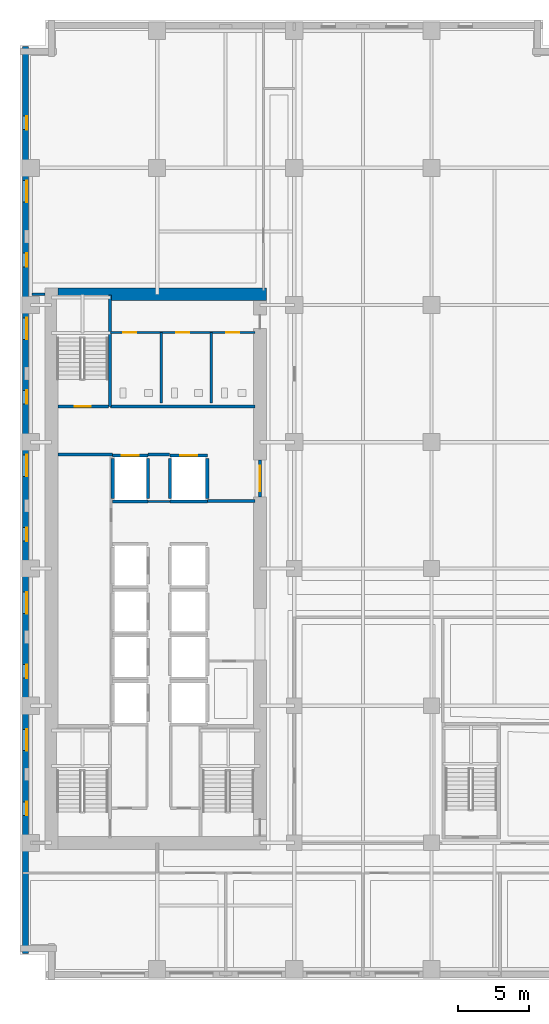
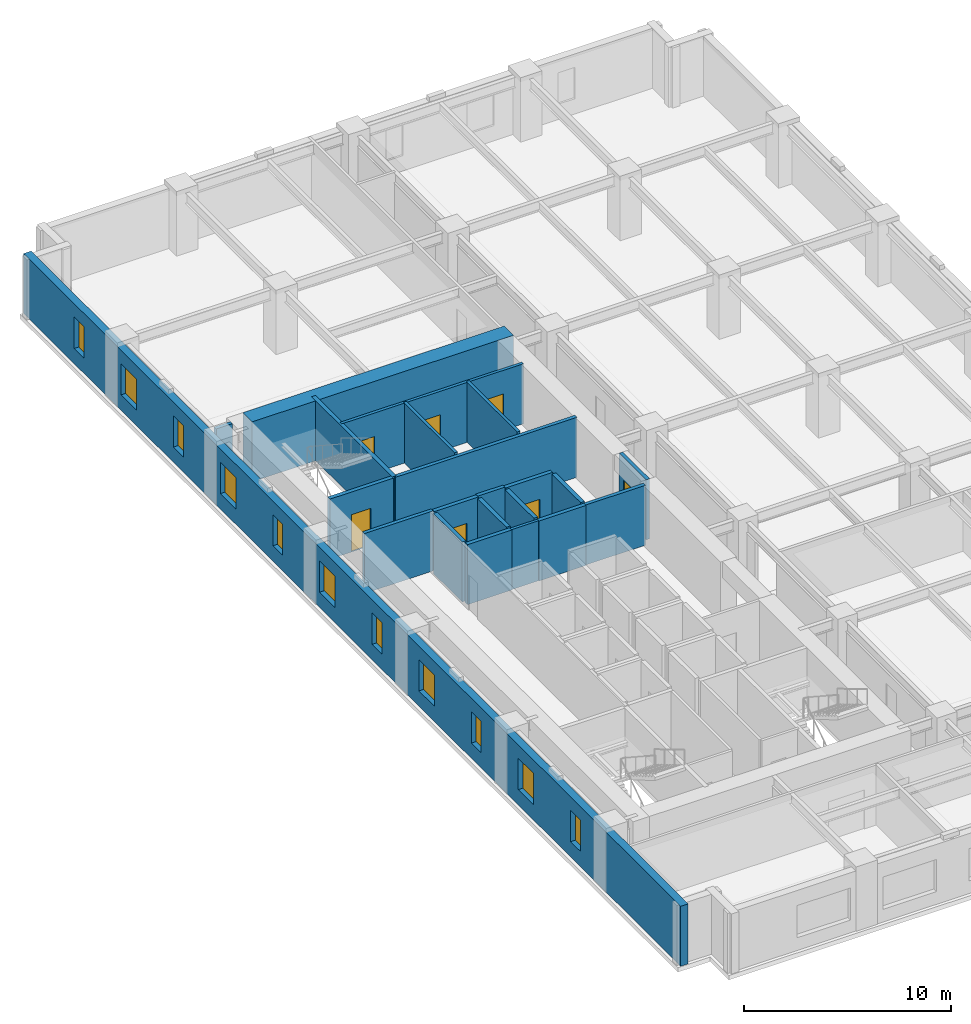
# One storey, part 6 of 13: 22 walls, 11 windows, 7 doors, 18 openings.
"""IFC4 building model written with IfcOpenShell, lengths in metres."""

import ifcopenshell
import ifcopenshell.guid

model = None  # the IFC model being written
_history = None  # IfcOwnerHistory: only IFC2X3 demands one
_inside = {}  # id of a spatial element -> (the spatial element, [elements in it])
_under = {}  # id of a project, library or spatial element -> (it, [spatial elements below it])
_declared = {}  # id of a project -> (the project, [libraries it declares])
_typed = {}  # id of a type object -> (the type object, [elements of that type])
_made_of = {}  # id of a material, layer set ... -> (it, [elements and type objects made of it])


def new_model(schema):
    """Start an empty IFC model of exactly this schema.

    Asked for "IFC4X3", IfcOpenShell would pick the latest addendum, in which some entities
    have other attributes; the version numbers below select the first issue.
    IFC2X3 requires an IfcOwnerHistory on every rooted entity: one is made here for all.
    """
    global model, _history
    if schema == "IFC4X3":
        model = ifcopenshell.file(schema_version=(4, 3, 0, 0))
    else:
        model = ifcopenshell.file(schema=schema)
    _inside.clear()
    _under.clear()
    _declared.clear()
    _typed.clear()
    _made_of.clear()
    _history = None
    if model.schema == "IFC2X3":
        org = make("IfcOrganization", Name="unknown")
        user = make(
            "IfcPersonAndOrganization",
            ThePerson=make("IfcPerson", FamilyName="unknown"),
            TheOrganization=org,
        )
        app = make(
            "IfcApplication",
            ApplicationDeveloper=org,
            Version="unknown",
            ApplicationFullName="unknown",
            ApplicationIdentifier="unknown",
        )
        _history = make(
            "IfcOwnerHistory",
            OwningUser=user,
            OwningApplication=app,
            ChangeAction="ADDED",
            CreationDate=0,
        )
    return model


def make(cls, **values):
    """One entity of the class cls with the attributes given. An attribute that is None is left unset."""
    return model.create_entity(
        cls, **{name: value for name, value in values.items() if value is not None}
    )


def rooted(cls, **values):
    """An entity with a GlobalId (a new one), such as an element, a storey or a relation."""
    return make(cls, GlobalId=ifcopenshell.guid.new(), OwnerHistory=_history, **values)


def si_unit(unit_type, name, prefix=None):
    """IfcSIUnit, for example si_unit("LENGTHUNIT", "METRE", prefix="MILLI")."""
    return make("IfcSIUnit", UnitType=unit_type, Prefix=prefix, Name=name)


def assignment(units):
    """IfcUnitAssignment: the units of a project."""
    return None if units is None else make("IfcUnitAssignment", Units=units)


def point(xyz):
    """IfcCartesianPoint."""
    return None if xyz is None else make("IfcCartesianPoint", Coordinates=xyz)


def direction(xyz):
    """IfcDirection."""
    return None if xyz is None else make("IfcDirection", DirectionRatios=xyz)


def frame(location, z_axis=None, x_axis=None):
    """IfcAxis2Placement3D, a coordinate frame: its origin and axes. An axis left out is left unset."""
    return make(
        "IfcAxis2Placement3D",
        Location=point(location),
        Axis=direction(z_axis),
        RefDirection=direction(x_axis),
    )


def frame_2d(location, x_axis=None):
    """IfcAxis2Placement2D, a coordinate frame in the plane: its origin and x axis."""
    return make(
        "IfcAxis2Placement2D", Location=point(location), RefDirection=direction(x_axis)
    )


def origin():
    """The frame at (0, 0, 0) with its axes left unset."""
    return frame((0.0, 0.0, 0.0))


def place(relative_to, where):
    """IfcLocalPlacement: puts the frame where relative to a parent placement (None: the world)."""
    return make(
        "IfcLocalPlacement", PlacementRelTo=relative_to, RelativePlacement=where
    )


def context(
    kind, dimensions, precision=None, world=None, true_north=None, identifier=None
):
    """IfcGeometricRepresentationContext, for example the 3D "Model" context."""
    return make(
        "IfcGeometricRepresentationContext",
        ContextIdentifier=identifier,
        ContextType=kind,
        CoordinateSpaceDimension=dimensions,
        Precision=precision,
        WorldCoordinateSystem=world,
        TrueNorth=true_north,
    )


def subcontext(parent, identifier, kind, view, scale=None):
    """IfcGeometricRepresentationSubContext, for example "Body" below "Model"."""
    return make(
        "IfcGeometricRepresentationSubContext",
        ContextIdentifier=identifier,
        ContextType=kind,
        ParentContext=parent,
        TargetScale=scale,
        TargetView=view,
    )


def project(units=None, contexts=None):
    """IfcProject with its units and contexts."""
    return rooted(
        "IfcProject",
        Name="project",
        RepresentationContexts=contexts,
        UnitsInContext=assignment(units),
    )


def spatial(cls, under=None, at=None, **own):
    """A site, building, storey or space (cls), placed at a placement, below another one or the project."""
    s = rooted(cls, ObjectPlacement=at, **own)
    if under is not None:
        _under.setdefault(under.id(), (under, []))[1].append(s)
    return s


def profile(cls, at=None, kind="AREA", **sizes):
    """A parametric profile (cls). Its sizes go by their IFC names, for example OverallWidth=200.0."""
    return make(cls, ProfileType=kind, Position=at, **sizes)


def rectangle(**sizes):
    """IfcRectangleProfileDef."""
    return profile("IfcRectangleProfileDef", **sizes)


def extrude(swept, where, along, depth):
    """IfcExtrudedAreaSolid: the profile swept, set in the frame where, extruded along a direction by depth."""
    return make(
        "IfcExtrudedAreaSolid",
        SweptArea=swept,
        Position=where,
        ExtrudedDirection=direction(along),
        Depth=depth,
    )


def shape(context_of_items, identifier, shape_type, items):
    """IfcShapeRepresentation: the items that make up one representation, for example the "Body"."""
    return make(
        "IfcShapeRepresentation",
        ContextOfItems=context_of_items,
        RepresentationIdentifier=identifier,
        RepresentationType=shape_type,
        Items=items,
    )


def material(Name=None, Category=None):
    """IfcMaterial."""
    return make("IfcMaterial", Name=Name, Category=Category)


def layer(
    of_material, thickness, ventilated=None, Name=None, Category=None, Priority=None
):
    """IfcMaterialLayer: one layer of a wall or slab, of a material (None: an air gap)."""
    return make(
        "IfcMaterialLayer",
        Material=of_material,
        LayerThickness=thickness,
        IsVentilated=ventilated,
        Name=Name,
        Category=Category,
        Priority=Priority,
    )


def layer_set(layers, Name=None):
    """IfcMaterialLayerSet."""
    return make("IfcMaterialLayerSet", MaterialLayers=layers, LayerSetName=Name)


def made_of(thing, what):
    """Note that an element or type object is made of a material, layer set ...; save() writes the relation."""
    if what is not None:
        _made_of.setdefault(what.id(), (what, []))[1].append(thing)
    return thing


def type_object(cls, material=None, **own):
    """A type object (cls), such as IfcWallType, which elements share."""
    return made_of(rooted(cls, **own), material)


def element(
    cls,
    number,
    at=None,
    inside=None,
    cuts=None,
    type_object=None,
    material=None,
    context=None,
    identifier="Body",
    shape_type=None,
    held_by="IfcProductDefinitionShape",
    body=None,
    shapes=None,
    **own,
):
    """One element of the class cls, such as IfcWall. Its Tag is "e" and its number.

    at: its placement. inside: the storey or other place that contains it. cuts: it is an
    opening in that element (IfcRelVoidsElement). A single representation is given by context,
    identifier, shape_type and body (its items); several are given by shapes. held_by: the class
    of the entity that holds the representations. save() writes the other relations.
    """
    e = rooted(cls, Tag="e%d" % number, ObjectPlacement=at, **own)
    if body is not None:
        shapes = [shape(context, identifier, shape_type, body)]
    if shapes is not None:
        e.Representation = make(held_by, Representations=shapes)
    if inside is not None:
        _inside.setdefault(inside.id(), (inside, []))[1].append(e)
    if cuts is not None:
        rooted(
            "IfcRelVoidsElement", RelatingBuildingElement=cuts, RelatedOpeningElement=e
        )
    if type_object is not None:
        _typed.setdefault(type_object.id(), (type_object, []))[1].append(e)
    return made_of(e, material)


def fill(opening, filler):
    """IfcRelFillsElement: the door or window that sits in an opening."""
    return rooted(
        "IfcRelFillsElement",
        RelatingOpeningElement=opening,
        RelatedBuildingElement=filler,
    )


def aggregate(whole, parts):
    """IfcRelAggregates: a whole, such as a stair, and the parts it consists of."""
    return rooted("IfcRelAggregates", RelatingObject=whole, RelatedObjects=parts)


def save(model, path):
    """Write the relations noted so far, then the file.

    IfcRelAggregates (storeys below a building ...), IfcRelContainedInSpatialStructure (elements
    in a storey), IfcRelDefinesByType, IfcRelAssociatesMaterial and IfcRelDeclares: one each for
    every whole, place, type object, material and project.
    """
    for whole, parts in _under.values():
        aggregate(whole, parts)
    for where, things in _inside.values():
        rooted(
            "IfcRelContainedInSpatialStructure",
            RelatedElements=things,
            RelatingStructure=where,
        )
    for kind, things in _typed.values():
        rooted("IfcRelDefinesByType", RelatedObjects=things, RelatingType=kind)
    for what, things in _made_of.values():
        rooted("IfcRelAssociatesMaterial", RelatedObjects=things, RelatingMaterial=what)
    for by, libraries in _declared.values():
        rooted("IfcRelDeclares", RelatingContext=by, RelatedDefinitions=libraries)
    model.write(path)


model = new_model("IFC4")

# Units and contexts
model_context = context("Model", 3, precision=1e-05, world=origin(), true_north=direction((0.0, 1.0)))
body_context = subcontext(model_context, "Body", "Model", "MODEL_VIEW")
ifc_project = project(units=[si_unit("LENGTHUNIT", "METRE"), si_unit("AREAUNIT", "SQUARE_METRE"), si_unit("VOLUMEUNIT", "CUBIC_METRE"), si_unit("PLANEANGLEUNIT", "RADIAN"), si_unit("MASSUNIT", "GRAM", prefix="KILO")], contexts=[model_context])

# Site, building, storey
site_placement = place(None, origin())
site = spatial("IfcSite", under=ifc_project, at=site_placement, CompositionType="ELEMENT")
building_placement = place(site_placement, origin())
building = spatial("IfcBuilding", under=site, at=building_placement, Name="Norrvale University Quadrangle", CompositionType="ELEMENT")
storey_placement = place(building_placement, frame((0.0, 0.0, 31.800048828125)))
storey = spatial("IfcBuildingStorey", under=building, at=storey_placement, Name="L07", CompositionType="ELEMENT", Elevation=31.800048828125)

# Wall, openings, windows
ifc_material_1 = material(Name="Buff Norman Clay Brick Masonry", Category="masonry")
ifc_layer_1 = layer(ifc_material_1, 0.419921875, Name="Buff Norman Clay Brick Masonry")
ifc_layer_set_1 = layer_set([ifc_layer_1], Name="Buff Norman Clay Brick Masonry")
wall_type_1 = type_object("IfcWallType", Name="Wall Buff Brick 420", PredefinedType="SOLIDWALL", material=ifc_layer_set_1)
wall_1_placement = place(storey_placement, frame((0.389892578125, 65.360107421875, 0.0), z_axis=(0.0, 0.0, 1.0), x_axis=(0.0, -1.0, 0.0)))
wall_1 = element("IfcWall", 1, at=wall_1_placement, inside=storey, type_object=wall_type_1, Name="Exterior Brick Facade Wall L07-14.1", PredefinedType="SOLIDWALL", context=body_context, shape_type="SweptSolid", body=[
    extrude(rectangle(XDim=63.52001953125, YDim=0.419921875, at=frame_2d((31.760009765625, 0.0))), origin(), (0.0, 0.0, 1.0), 3.5400390625),
])
opening_1_placement = place(wall_1_placement, frame((4.885009765625, 0.0, 0.89990234375)))
opening_1 = element("IfcOpeningElement", 2, at=opening_1_placement, cuts=wall_1, Name="Opening W04", PredefinedType="OPENING", context=body_context, shape_type="SweptSolid", body=[
    extrude(rectangle(XDim=0.949951171875, YDim=1.85009765625, at=frame_2d((0.47509765625, 0.925048828125))), frame((0.0, 0.221923828125, 0.0), z_axis=(0.0, -1.0, 0.0), x_axis=(1.0, 0.0, 0.0)), (0.0, 0.0, 1.0), 0.44384765625),
])
opening_2_placement = place(wall_1_placement, frame((9.409912109375, 0.0, 0.89990234375)))
opening_2 = element("IfcOpeningElement", 3, at=opening_2_placement, cuts=wall_1, Name="Opening W03", PredefinedType="OPENING", context=body_context, shape_type="SweptSolid", body=[
    extrude(rectangle(XDim=1.5, YDim=1.85009765625, at=frame_2d((0.75, 0.925048828125))), frame((0.0, 0.221923828125, 0.0), z_axis=(0.0, -1.0, 0.0), x_axis=(1.0, 0.0, 0.0)), (0.0, 0.0, 1.0), 0.44384765625),
])
opening_3_placement = place(wall_1_placement, frame((14.485107421875, 0.0, 0.89990234375)))
opening_3 = element("IfcOpeningElement", 4, at=opening_3_placement, cuts=wall_1, Name="Opening W04", PredefinedType="OPENING", context=body_context, shape_type="SweptSolid", body=[
    extrude(rectangle(XDim=0.949951171875, YDim=1.85009765625, at=frame_2d((0.47509765625, 0.925048828125))), frame((0.0, 0.221923828125, 0.0), z_axis=(0.0, -1.0, 0.0), x_axis=(1.0, 0.0, 0.0)), (0.0, 0.0, 1.0), 0.44384765625),
])
opening_4_placement = place(wall_1_placement, frame((19.010009765625, 0.0, 0.89990234375)))
opening_4 = element("IfcOpeningElement", 5, at=opening_4_placement, cuts=wall_1, Name="Opening W03", PredefinedType="OPENING", context=body_context, shape_type="SweptSolid", body=[
    extrude(rectangle(XDim=1.5, YDim=1.85009765625, at=frame_2d((0.75, 0.925048828125))), frame((0.0, 0.221923828125, 0.0), z_axis=(0.0, -1.0, 0.0), x_axis=(1.0, 0.0, 0.0)), (0.0, 0.0, 1.0), 0.44384765625),
])
opening_5_placement = place(wall_1_placement, frame((24.0849609375, 0.0, 0.89990234375)))
opening_5 = element("IfcOpeningElement", 6, at=opening_5_placement, cuts=wall_1, Name="Opening W04", PredefinedType="OPENING", context=body_context, shape_type="SweptSolid", body=[
    extrude(rectangle(XDim=0.949951171875, YDim=1.85009765625, at=frame_2d((0.47509765625, 0.925048828125))), frame((0.0, 0.221923828125, 0.0), z_axis=(0.0, -1.0, 0.0), x_axis=(1.0, 0.0, 0.0)), (0.0, 0.0, 1.0), 0.44384765625),
])
opening_6_placement = place(wall_1_placement, frame((28.610107421875, 0.0, 0.89990234375)))
opening_6 = element("IfcOpeningElement", 7, at=opening_6_placement, cuts=wall_1, Name="Opening W03", PredefinedType="OPENING", context=body_context, shape_type="SweptSolid", body=[
    extrude(rectangle(XDim=1.5, YDim=1.85009765625, at=frame_2d((0.75, 0.925048828125))), frame((0.0, 0.221923828125, 0.0), z_axis=(0.0, -1.0, 0.0), x_axis=(1.0, 0.0, 0.0)), (0.0, 0.0, 1.0), 0.44384765625),
])
opening_7_placement = place(wall_1_placement, frame((33.68505859375, 0.0, 0.89990234375)))
opening_7 = element("IfcOpeningElement", 8, at=opening_7_placement, cuts=wall_1, Name="Opening W04", PredefinedType="OPENING", context=body_context, shape_type="SweptSolid", body=[
    extrude(rectangle(XDim=0.949951171875, YDim=1.85009765625, at=frame_2d((0.47509765625, 0.925048828125))), frame((0.0, 0.221923828125, 0.0), z_axis=(0.0, -1.0, 0.0), x_axis=(1.0, 0.0, 0.0)), (0.0, 0.0, 1.0), 0.44384765625),
])
opening_8_placement = place(wall_1_placement, frame((38.2099609375, 0.0, 0.89990234375)))
opening_8 = element("IfcOpeningElement", 9, at=opening_8_placement, cuts=wall_1, Name="Opening W03", PredefinedType="OPENING", context=body_context, shape_type="SweptSolid", body=[
    extrude(rectangle(XDim=1.5, YDim=1.85009765625, at=frame_2d((0.75, 0.925048828125))), frame((0.0, 0.221923828125, 0.0), z_axis=(0.0, -1.0, 0.0), x_axis=(1.0, 0.0, 0.0)), (0.0, 0.0, 1.0), 0.44384765625),
])
opening_9_placement = place(wall_1_placement, frame((43.284912109375, 0.0, 0.89990234375)))
opening_9 = element("IfcOpeningElement", 10, at=opening_9_placement, cuts=wall_1, Name="Opening W04", PredefinedType="OPENING", context=body_context, shape_type="SweptSolid", body=[
    extrude(rectangle(XDim=0.949951171875, YDim=1.85009765625, at=frame_2d((0.47509765625, 0.925048828125))), frame((0.0, 0.221923828125, 0.0), z_axis=(0.0, -1.0, 0.0), x_axis=(1.0, 0.0, 0.0)), (0.0, 0.0, 1.0), 0.44384765625),
])
opening_10_placement = place(wall_1_placement, frame((47.81005859375, 0.0, 0.89990234375)))
opening_10 = element("IfcOpeningElement", 11, at=opening_10_placement, cuts=wall_1, Name="Opening W03", PredefinedType="OPENING", context=body_context, shape_type="SweptSolid", body=[
    extrude(rectangle(XDim=1.5, YDim=1.85009765625, at=frame_2d((0.75, 0.925048828125))), frame((0.0, 0.221923828125, 0.0), z_axis=(0.0, -1.0, 0.0), x_axis=(1.0, 0.0, 0.0)), (0.0, 0.0, 1.0), 0.44384765625),
])
opening_11_placement = place(wall_1_placement, frame((52.885009765625, 0.0, 0.89990234375)))
opening_11 = element("IfcOpeningElement", 12, at=opening_11_placement, cuts=wall_1, Name="Opening W04", PredefinedType="OPENING", context=body_context, shape_type="SweptSolid", body=[
    extrude(rectangle(XDim=0.949951171875, YDim=1.85009765625, at=frame_2d((0.47509765625, 0.925048828125))), frame((0.0, 0.221923828125, 0.0), z_axis=(0.0, -1.0, 0.0), x_axis=(1.0, 0.0, 0.0)), (0.0, 0.0, 1.0), 0.44384765625),
])
ifc_material_2 = material(Name="Triple Low-E Argon Glazing", Category="glass")
window_type_1 = type_object("IfcWindowType", Name="Window Narrow Pier 950x2300", PartitioningType="SINGLE_PANEL", PredefinedType="WINDOW", material=ifc_material_2)
window_1_placement = place(opening_1_placement, origin())
window_1 = element("IfcWindow", 13, at=window_1_placement, inside=storey, type_object=window_type_1, Name="Window Narrow Pier 950x2300 WIN-L07-E14-1-01", OverallHeight=1.85009765625, OverallWidth=0.949951171875, PartitioningType="SINGLE_PANEL", PredefinedType="WINDOW", context=body_context, shape_type="SweptSolid", body=[
    extrude(rectangle(XDim=0.949951171875, YDim=1.85009765625, at=frame_2d((0.47509765625, 0.925048828125))), frame((0.0, 0.110107421875, 0.0), z_axis=(0.0, -1.0, 0.0), x_axis=(1.0, 0.0, 0.0)), (0.0, 0.0, 1.0), 0.06005859375),
])
fill(opening_1, window_1)
window_2_placement = place(opening_3_placement, origin())
window_2 = element("IfcWindow", 14, at=window_2_placement, inside=storey, type_object=window_type_1, Name="Window Narrow Pier 950x2300 WIN-L07-E14-1-03", OverallHeight=1.85009765625, OverallWidth=0.949951171875, PartitioningType="SINGLE_PANEL", PredefinedType="WINDOW", context=body_context, shape_type="SweptSolid", body=[
    extrude(rectangle(XDim=0.949951171875, YDim=1.85009765625, at=frame_2d((0.47509765625, 0.925048828125))), frame((0.0, 0.110107421875, 0.0), z_axis=(0.0, -1.0, 0.0), x_axis=(1.0, 0.0, 0.0)), (0.0, 0.0, 1.0), 0.06005859375),
])
fill(opening_3, window_2)
window_3_placement = place(opening_5_placement, origin())
window_3 = element("IfcWindow", 15, at=window_3_placement, inside=storey, type_object=window_type_1, Name="Window Narrow Pier 950x2300 WIN-L07-E14-1-05", OverallHeight=1.85009765625, OverallWidth=0.949951171875, PartitioningType="SINGLE_PANEL", PredefinedType="WINDOW", context=body_context, shape_type="SweptSolid", body=[
    extrude(rectangle(XDim=0.949951171875, YDim=1.85009765625, at=frame_2d((0.47509765625, 0.925048828125))), frame((0.0, 0.110107421875, 0.0), z_axis=(0.0, -1.0, 0.0), x_axis=(1.0, 0.0, 0.0)), (0.0, 0.0, 1.0), 0.06005859375),
])
fill(opening_5, window_3)
window_4_placement = place(opening_7_placement, origin())
window_4 = element("IfcWindow", 16, at=window_4_placement, inside=storey, type_object=window_type_1, Name="Window Narrow Pier 950x2300 WIN-L07-E14-1-07", OverallHeight=1.85009765625, OverallWidth=0.949951171875, PartitioningType="SINGLE_PANEL", PredefinedType="WINDOW", context=body_context, shape_type="SweptSolid", body=[
    extrude(rectangle(XDim=0.949951171875, YDim=1.85009765625, at=frame_2d((0.47509765625, 0.925048828125))), frame((0.0, 0.110107421875, 0.0), z_axis=(0.0, -1.0, 0.0), x_axis=(1.0, 0.0, 0.0)), (0.0, 0.0, 1.0), 0.06005859375),
])
fill(opening_7, window_4)
window_5_placement = place(opening_9_placement, origin())
window_5 = element("IfcWindow", 17, at=window_5_placement, inside=storey, type_object=window_type_1, Name="Window Narrow Pier 950x2300 WIN-L07-E14-1-09", OverallHeight=1.85009765625, OverallWidth=0.949951171875, PartitioningType="SINGLE_PANEL", PredefinedType="WINDOW", context=body_context, shape_type="SweptSolid", body=[
    extrude(rectangle(XDim=0.949951171875, YDim=1.85009765625, at=frame_2d((0.47509765625, 0.925048828125))), frame((0.0, 0.110107421875, 0.0), z_axis=(0.0, -1.0, 0.0), x_axis=(1.0, 0.0, 0.0)), (0.0, 0.0, 1.0), 0.06005859375),
])
fill(opening_9, window_5)
window_6_placement = place(opening_11_placement, origin())
window_6 = element("IfcWindow", 18, at=window_6_placement, inside=storey, type_object=window_type_1, Name="Window Narrow Pier 950x2300 WIN-L07-E14-1-11", OverallHeight=1.85009765625, OverallWidth=0.949951171875, PartitioningType="SINGLE_PANEL", PredefinedType="WINDOW", context=body_context, shape_type="SweptSolid", body=[
    extrude(rectangle(XDim=0.949951171875, YDim=1.85009765625, at=frame_2d((0.47509765625, 0.925048828125))), frame((0.0, 0.110107421875, 0.0), z_axis=(0.0, -1.0, 0.0), x_axis=(1.0, 0.0, 0.0)), (0.0, 0.0, 1.0), 0.06005859375),
])
fill(opening_11, window_6)
window_type_2 = type_object("IfcWindowType", Name="Window Studio 1500x2300", PartitioningType="DOUBLE_PANEL_VERTICAL", PredefinedType="WINDOW", material=ifc_material_2)
window_7_placement = place(opening_2_placement, origin())
window_7 = element("IfcWindow", 19, at=window_7_placement, inside=storey, type_object=window_type_2, Name="Window Studio 1500x2300 WIN-L07-E14-1-02", OverallHeight=1.85009765625, OverallWidth=1.5, PartitioningType="DOUBLE_PANEL_VERTICAL", PredefinedType="WINDOW", context=body_context, shape_type="SweptSolid", body=[
    extrude(rectangle(XDim=1.5, YDim=1.85009765625, at=frame_2d((0.75, 0.925048828125))), frame((0.0, 0.110107421875, 0.0), z_axis=(0.0, -1.0, 0.0), x_axis=(1.0, 0.0, 0.0)), (0.0, 0.0, 1.0), 0.06005859375),
])
fill(opening_2, window_7)
window_8_placement = place(opening_4_placement, origin())
window_8 = element("IfcWindow", 20, at=window_8_placement, inside=storey, type_object=window_type_2, Name="Window Studio 1500x2300 WIN-L07-E14-1-04", OverallHeight=1.85009765625, OverallWidth=1.5, PartitioningType="DOUBLE_PANEL_VERTICAL", PredefinedType="WINDOW", context=body_context, shape_type="SweptSolid", body=[
    extrude(rectangle(XDim=1.5, YDim=1.85009765625, at=frame_2d((0.75, 0.925048828125))), frame((0.0, 0.110107421875, 0.0), z_axis=(0.0, -1.0, 0.0), x_axis=(1.0, 0.0, 0.0)), (0.0, 0.0, 1.0), 0.06005859375),
])
fill(opening_4, window_8)
window_9_placement = place(opening_6_placement, origin())
window_9 = element("IfcWindow", 21, at=window_9_placement, inside=storey, type_object=window_type_2, Name="Window Studio 1500x2300 WIN-L07-E14-1-06", OverallHeight=1.85009765625, OverallWidth=1.5, PartitioningType="DOUBLE_PANEL_VERTICAL", PredefinedType="WINDOW", context=body_context, shape_type="SweptSolid", body=[
    extrude(rectangle(XDim=1.5, YDim=1.85009765625, at=frame_2d((0.75, 0.925048828125))), frame((0.0, 0.110107421875, 0.0), z_axis=(0.0, -1.0, 0.0), x_axis=(1.0, 0.0, 0.0)), (0.0, 0.0, 1.0), 0.06005859375),
])
fill(opening_6, window_9)
window_10_placement = place(opening_8_placement, origin())
window_10 = element("IfcWindow", 22, at=window_10_placement, inside=storey, type_object=window_type_2, Name="Window Studio 1500x2300 WIN-L07-E14-1-08", OverallHeight=1.85009765625, OverallWidth=1.5, PartitioningType="DOUBLE_PANEL_VERTICAL", PredefinedType="WINDOW", context=body_context, shape_type="SweptSolid", body=[
    extrude(rectangle(XDim=1.5, YDim=1.85009765625, at=frame_2d((0.75, 0.925048828125))), frame((0.0, 0.110107421875, 0.0), z_axis=(0.0, -1.0, 0.0), x_axis=(1.0, 0.0, 0.0)), (0.0, 0.0, 1.0), 0.06005859375),
])
fill(opening_8, window_10)
window_11_placement = place(opening_10_placement, origin())
window_11 = element("IfcWindow", 23, at=window_11_placement, inside=storey, type_object=window_type_2, Name="Window Studio 1500x2300 WIN-L07-E14-1-10", OverallHeight=1.85009765625, OverallWidth=1.5, PartitioningType="DOUBLE_PANEL_VERTICAL", PredefinedType="WINDOW", context=body_context, shape_type="SweptSolid", body=[
    extrude(rectangle(XDim=1.5, YDim=1.85009765625, at=frame_2d((0.75, 0.925048828125))), frame((0.0, 0.110107421875, 0.0), z_axis=(0.0, -1.0, 0.0), x_axis=(1.0, 0.0, 0.0)), (0.0, 0.0, 1.0), 0.06005859375),
])
fill(opening_10, window_11)

# Walls
ifc_material_3 = material(Name="Concrete C80/95", Category="concrete")
ifc_layer_2 = layer(ifc_material_3, 0.89990234375, Name="Concrete C80/95")
ifc_layer_set_2 = layer_set([ifc_layer_2], Name="Concrete C80/95")
wall_type_2 = type_object("IfcWallType", Name="Wall Core 900", PredefinedType="SHEAR", material=ifc_layer_set_2)
wall_2_placement = place(storey_placement, frame((2.64990234375, 48.0, 0.0), z_axis=(0.0, 0.0, 1.0), x_axis=(1.0, 0.0, 0.0)))
element("IfcWall", 24, at=wall_2_placement, inside=storey, type_object=wall_type_2, Name="Tower Core Shear Wall L07-N", PredefinedType="SHEAR", context=body_context, shape_type="SweptSolid", body=[
    extrude(rectangle(XDim=14.60009765625, YDim=0.89990234375, at=frame_2d((7.300048828125, 0.0))), origin(), (0.0, 0.0, 1.0), 3.5400390625),
])
ifc_material_4 = material(Name="Fire-Rated Gypsum Stud Partition")
ifc_layer_3 = layer(ifc_material_4, 0.14990234375, Name="Fire-Rated Gypsum Stud Partition")
ifc_layer_set_3 = layer_set([ifc_layer_3], Name="Fire-Rated Gypsum Stud Partition")
wall_type_3 = type_object("IfcWallType", Name="Wall Gypsum Corridor 150", PredefinedType="PARTITIONING", material=ifc_layer_set_3)
wall_3_placement = place(storey_placement, frame((8.965087890625, 33.489990234375, 0.0), z_axis=(0.0, 0.0, 1.0), x_axis=(1.0, 0.0, 0.0)))
element("IfcWall", 25, at=wall_3_placement, inside=storey, type_object=wall_type_3, Name="Interior Partition WL-L07-LL3", PredefinedType="PARTITIONING", context=body_context, shape_type="SweptSolid", body=[
    extrude(rectangle(XDim=1.52001953125, YDim=0.14990234375, at=frame_2d((0.760009765625, 0.0))), origin(), (0.0, 0.0, 1.0), 3.5400390625),
])

# Wall, openings, doors
ifc_material_5 = material(Name="Sanitary Chase Gypsum Partition")
ifc_layer_4 = layer(ifc_material_5, 0.1650390625, Name="Sanitary Chase Gypsum Partition")
ifc_layer_set_4 = layer_set([ifc_layer_4], Name="Sanitary Chase Gypsum Partition")
wall_type_4 = type_object("IfcWallType", Name="Wall Gypsum Sanitary 165", PredefinedType="PLUMBINGWALL", material=ifc_layer_set_4)
wall_4_placement = place(storey_placement, frame((6.320068359375, 45.320068359375, 0.0), z_axis=(0.0, 0.0, 1.0), x_axis=(1.0, 0.0, 0.0)))
wall_4 = element("IfcWall", 26, at=wall_4_placement, inside=storey, type_object=wall_type_4, Name="Interior Partition WL-L07-WCN", PredefinedType="PLUMBINGWALL", context=body_context, shape_type="SweptSolid", body=[
    extrude(rectangle(XDim=10.1298828125, YDim=0.1650390625, at=frame_2d((5.06494140625, 0.0))), origin(), (0.0, 0.0, 1.0), 3.5400390625),
])
opening_12_placement = place(wall_4_placement, frame((0.89990234375, 0.0, 0.0)))
opening_12 = element("IfcOpeningElement", 27, at=opening_12_placement, cuts=wall_4, Name="Opening D08", PredefinedType="OPENING", context=body_context, shape_type="SweptSolid", body=[
    extrude(rectangle(XDim=0.919921875, YDim=2.14990234375, at=frame_2d((0.4599609375, 1.074951171875))), frame((0.0, 0.094482421875, 0.0), z_axis=(0.0, -1.0, 0.0), x_axis=(1.0, 0.0, 0.0)), (0.0, 0.0, 1.0), 0.18896484375),
])
opening_13_placement = place(wall_4_placement, frame((4.60009765625, 0.0, 0.0)))
opening_13 = element("IfcOpeningElement", 28, at=opening_13_placement, cuts=wall_4, Name="Opening D08", PredefinedType="OPENING", context=body_context, shape_type="SweptSolid", body=[
    extrude(rectangle(XDim=0.919921875, YDim=2.14990234375, at=frame_2d((0.4599609375, 1.074951171875))), frame((0.0, 0.094482421875, 0.0), z_axis=(0.0, -1.0, 0.0), x_axis=(1.0, 0.0, 0.0)), (0.0, 0.0, 1.0), 0.18896484375),
])
opening_14_placement = place(wall_4_placement, frame((8.10009765625, 0.0, 0.0)))
opening_14 = element("IfcOpeningElement", 29, at=opening_14_placement, cuts=wall_4, Name="Opening D08", PredefinedType="OPENING", context=body_context, shape_type="SweptSolid", body=[
    extrude(rectangle(XDim=0.919921875, YDim=2.14990234375, at=frame_2d((0.4599609375, 1.074951171875))), frame((0.0, 0.094482421875, 0.0), z_axis=(0.0, -1.0, 0.0), x_axis=(1.0, 0.0, 0.0)), (0.0, 0.0, 1.0), 0.18896484375),
])
ifc_material_6 = material(Name="Laminate Washroom Door", Category="wood")
door_type_1 = type_object("IfcDoorType", Name="Door Washroom 920x2150", OperationType="NOTDEFINED", PredefinedType="DOOR", material=ifc_material_6)
door_1_placement = place(opening_12_placement, origin())
door_1 = element("IfcDoor", 30, at=door_1_placement, inside=storey, type_object=door_type_1, Name="Door Washroom 920x2150 DR-L07-WC1", OperationType="SINGLE_SWING_LEFT", OverallHeight=2.14990234375, OverallWidth=0.919921875, PredefinedType="DOOR", context=body_context, shape_type="SweptSolid", body=[
    extrude(rectangle(XDim=0.919921875, YDim=2.14990234375, at=frame_2d((0.4599609375, 1.074951171875))), frame((0.0, 0.02490234375, 0.0), z_axis=(0.0, -1.0, 0.0), x_axis=(1.0, 0.0, 0.0)), (0.0, 0.0, 1.0), 0.050048828125),
])
fill(opening_12, door_1)
door_2_placement = place(opening_13_placement, origin())
door_2 = element("IfcDoor", 31, at=door_2_placement, inside=storey, type_object=door_type_1, Name="Door Washroom 920x2150 DR-L07-WC2", OperationType="SINGLE_SWING_RIGHT", OverallHeight=2.14990234375, OverallWidth=0.919921875, PredefinedType="DOOR", context=body_context, shape_type="SweptSolid", body=[
    extrude(rectangle(XDim=0.919921875, YDim=2.14990234375, at=frame_2d((0.4599609375, 1.074951171875))), frame((0.0, 0.02490234375, 0.0), z_axis=(0.0, -1.0, 0.0), x_axis=(1.0, 0.0, 0.0)), (0.0, 0.0, 1.0), 0.050048828125),
])
fill(opening_13, door_2)
door_3_placement = place(opening_14_placement, origin())
door_3 = element("IfcDoor", 32, at=door_3_placement, inside=storey, type_object=door_type_1, Name="Door Washroom 920x2150 DR-L07-WC3", OperationType="SINGLE_SWING_LEFT", OverallHeight=2.14990234375, OverallWidth=0.919921875, PredefinedType="DOOR", context=body_context, shape_type="SweptSolid", body=[
    extrude(rectangle(XDim=0.919921875, YDim=2.14990234375, at=frame_2d((0.4599609375, 1.074951171875))), frame((0.0, 0.02490234375, 0.0), z_axis=(0.0, -1.0, 0.0), x_axis=(1.0, 0.0, 0.0)), (0.0, 0.0, 1.0), 0.050048828125),
])
fill(opening_14, door_3)

# Walls
for number, where, z_axis, x_axis, name in (
    (33, (9.89990234375, 40.39990234375, 0.0), (0.0, 0.0, 1.0), (0.0, 1.0, 0.0), "Interior Partition WL-L07-WCM1"),
    (34, (13.39990234375, 40.39990234375, 0.0), (0.0, 0.0, 1.0), (0.0, 1.0, 0.0), "Interior Partition WL-L07-WCM2"),
):
    element("IfcWall", number, at=place(storey_placement, frame(where, z_axis=z_axis, x_axis=x_axis)), inside=storey, type_object=wall_type_4, Name=name, PredefinedType="PLUMBINGWALL", context=body_context, shape_type="SweptSolid", body=[
        extrude(rectangle(XDim=4.920166015625, YDim=0.1650390625, at=frame_2d((2.4599609375, 0.0))), origin(), (0.0, 0.0, 1.0), 3.5400390625),
    ])
ifc_material_7 = material(Name="Concrete Blockwork 20 MPa Rated Wall", Category="masonry")
ifc_layer_5 = layer(ifc_material_7, 0.199951171875, Name="Concrete Blockwork 20 MPa Rated Wall")
ifc_layer_set_5 = layer_set([ifc_layer_5], Name="Concrete Blockwork 20 MPa Rated Wall")
wall_type_5 = type_object("IfcWallType", Name="Wall Lobby 200", PredefinedType="SOLIDWALL", material=ifc_layer_set_5)
wall_5_placement = place(storey_placement, frame((2.64990234375, 36.780029296875, 0.0), z_axis=(0.0, 0.0, 1.0), x_axis=(1.0, 0.0, 0.0)))
element("IfcWall", 35, at=wall_5_placement, inside=storey, type_object=wall_type_5, Name="Interior Partition WL-L07-FF1", PredefinedType="SOLIDWALL", context=body_context, shape_type="SweptSolid", body=[
    extrude(rectangle(XDim=3.830078125, YDim=0.199951171875, at=frame_2d((1.9150390625, 0.0))), origin(), (0.0, 0.0, 1.0), 3.5400390625),
])
wall_6_placement = place(storey_placement, frame((8.969970703125, 36.780029296875, 0.0), z_axis=(0.0, 0.0, 1.0), x_axis=(1.0, 0.0, 0.0)))
element("IfcWall", 36, at=wall_6_placement, inside=storey, type_object=wall_type_5, Name="Interior Partition WL-L07-FF2", PredefinedType="SOLIDWALL", context=body_context, shape_type="SweptSolid", body=[
    extrude(rectangle(XDim=1.510009765625, YDim=0.199951171875, at=frame_2d((0.7548828125, 0.0))), origin(), (0.0, 0.0, 1.0), 3.5400390625),
])
wall_7_placement = place(storey_placement, frame((13.1201171875, 33.52001953125, 0.0), z_axis=(0.0, 0.0, 1.0), x_axis=(1.0, 0.0, 0.0)))
element("IfcWall", 37, at=wall_7_placement, inside=storey, type_object=wall_type_5, Name="Interior Partition WL-L07-FF3", PredefinedType="SOLIDWALL", context=body_context, shape_type="SweptSolid", body=[
    extrude(rectangle(XDim=3.329833984375, YDim=0.199951171875, at=frame_2d((1.6650390625, 0.0))), origin(), (0.0, 0.0, 1.0), 3.5400390625),
])
wall_8_placement = place(storey_placement, frame((6.320068359375, 40.139892578125, 0.0), z_axis=(0.0, 0.0, 1.0), x_axis=(1.0, 0.0, 0.0)))
element("IfcWall", 38, at=wall_8_placement, inside=storey, type_object=wall_type_5, Name="Interior Partition WL-L07-FF4", PredefinedType="SOLIDWALL", context=body_context, shape_type="SweptSolid", body=[
    extrude(rectangle(XDim=10.1298828125, YDim=0.199951171875, at=frame_2d((5.06494140625, 0.0))), origin(), (0.0, 0.0, 1.0), 3.5400390625),
])

# Wall, opening, door
wall_9_placement = place(storey_placement, frame((16.800048828125, 33.800048828125, 0.0), z_axis=(0.0, 0.0, 1.0), x_axis=(0.0, 1.0, 0.0)))
wall_9 = element("IfcWall", 39, at=wall_9_placement, inside=storey, type_object=wall_type_5, Name="Interior Partition WL-L07-FFP", PredefinedType="SOLIDWALL", context=body_context, shape_type="SweptSolid", body=[
    extrude(rectangle(XDim=2.599853515625, YDim=0.199951171875, at=frame_2d((1.2998046875, 0.0))), origin(), (0.0, 0.0, 1.0), 3.5400390625),
])
opening_15_placement = place(wall_9_placement, frame((0.39990234375, 0.0, 0.0)))
opening_15 = element("IfcOpeningElement", 40, at=opening_15_placement, cuts=wall_9, Name="Opening D03", PredefinedType="OPENING", context=body_context, shape_type="SweptSolid", body=[
    extrude(rectangle(XDim=1.800048828125, YDim=2.199951171875, at=frame_2d((0.89990234375, 1.10009765625))), frame((0.0, 0.112060546875, 0.0), z_axis=(0.0, -1.0, 0.0), x_axis=(1.0, 0.0, 0.0)), (0.0, 0.0, 1.0), 0.223876953125),
])
ifc_material_8 = material(Name="Hollow Steel 350W Fire Door", Category="steel")
door_type_2 = type_object("IfcDoorType", Name="Door Fire Lobby 1800x2200", OperationType="DOUBLE_DOOR_SINGLE_SWING", PredefinedType="DOOR", material=ifc_material_8)
door_4_placement = place(opening_15_placement, origin())
door_4 = element("IfcDoor", 41, at=door_4_placement, inside=storey, type_object=door_type_2, Name="Door Fire Lobby 1800x2200 DR-L07-FFP", OperationType="DOUBLE_DOOR_SINGLE_SWING", OverallHeight=2.199951171875, OverallWidth=1.800048828125, PredefinedType="DOOR", context=body_context, shape_type="SweptSolid", body=[
    extrude(rectangle(XDim=1.800048828125, YDim=2.199951171875, at=frame_2d((0.89990234375, 1.10009765625))), frame((0.0, 0.02490234375, 0.0), z_axis=(0.0, -1.0, 0.0), x_axis=(1.0, 0.0, 0.0)), (0.0, 0.0, 1.0), 0.050048828125),
])
fill(opening_15, door_4)

# Wall
wall_10_placement = place(storey_placement, frame((0.85009765625, 48.0, 0.0), z_axis=(0.0, 0.0, 1.0), x_axis=(1.0, 0.0, 0.0)))
element("IfcWall", 42, at=wall_10_placement, inside=storey, type_object=wall_type_5, Name="Interior Partition WL-L07-CWRET-N", PredefinedType="SOLIDWALL", context=body_context, shape_type="SweptSolid", body=[
    extrude(rectangle(XDim=0.89501953125, YDim=0.199951171875, at=frame_2d((0.447509765625, 0.0))), origin(), (0.0, 0.0, 1.0), 3.5400390625),
])

# Wall, opening, door
ifc_material_9 = material(Name="Concrete Blockwork 20 MPa Fire Shaft", Category="masonry")
ifc_layer_6 = layer(ifc_material_9, 0.219970703125, Name="Concrete Blockwork 20 MPa Fire Shaft")
ifc_layer_set_6 = layer_set([ifc_layer_6], Name="Concrete Blockwork 20 MPa Fire Shaft")
wall_type_6 = type_object("IfcWallType", Name="Wall Shaft 220", PredefinedType="SOLIDWALL", material=ifc_layer_set_6)
wall_11_placement = place(storey_placement, frame((2.64990234375, 40.139892578125, 0.0), z_axis=(0.0, 0.0, 1.0), x_axis=(1.0, 0.0, 0.0)))
wall_11 = element("IfcWall", 43, at=wall_11_placement, inside=storey, type_object=wall_type_6, Name="Stair ST-02 South Shaft Wall L07", PredefinedType="SOLIDWALL", context=body_context, shape_type="SweptSolid", body=[
    extrude(rectangle(XDim=3.550048828125, YDim=0.219970703125, at=frame_2d((1.77490234375, 0.0))), origin(), (0.0, 0.0, 1.0), 3.5400390625),
])
opening_16_placement = place(wall_11_placement, frame((1.199951171875, 0.0, 0.0)))
opening_16 = element("IfcOpeningElement", 44, at=opening_16_placement, cuts=wall_11, Name="Opening D02", PredefinedType="OPENING", context=body_context, shape_type="SweptSolid", body=[
    extrude(rectangle(XDim=1.10009765625, YDim=2.199951171875, at=frame_2d((0.550048828125, 1.10009765625))), frame((0.0, 0.1220703125, 0.0), z_axis=(0.0, -1.0, 0.0), x_axis=(1.0, 0.0, 0.0)), (0.0, 0.0, 1.0), 0.243896484375),
])
door_type_3 = type_object("IfcDoorType", Name="Door Stair Exit 1100x2200", OperationType="NOTDEFINED", PredefinedType="DOOR", material=ifc_material_8)
door_5_placement = place(opening_16_placement, origin())
door_5 = element("IfcDoor", 45, at=door_5_placement, inside=storey, type_object=door_type_3, Name="Door Stair Exit 1100x2200 DR-L07-ST02", OperationType="SINGLE_SWING_LEFT", OverallHeight=2.199951171875, OverallWidth=1.10009765625, PredefinedType="DOOR", context=body_context, shape_type="SweptSolid", body=[
    extrude(rectangle(XDim=1.10009765625, YDim=2.199951171875, at=frame_2d((0.550048828125, 1.10009765625))), frame((0.0, 0.02490234375, 0.0), z_axis=(0.0, -1.0, 0.0), x_axis=(1.0, 0.0, 0.0)), (0.0, 0.0, 1.0), 0.050048828125),
])
fill(opening_16, door_5)

# Walls
wall_12_placement = place(storey_placement, frame((6.31005859375, 40.139892578125, 0.0), z_axis=(0.0, 0.0, 1.0), x_axis=(0.0, 1.0, 0.0)))
element("IfcWall", 46, at=wall_12_placement, inside=storey, type_object=wall_type_6, Name="Stair ST-02 East Shaft Wall L07", PredefinedType="SOLIDWALL", context=body_context, shape_type="SweptSolid", body=[
    extrude(rectangle(XDim=7.81005859375, YDim=0.219970703125, at=frame_2d((3.905029296875, 0.0))), origin(), (0.0, 0.0, 1.0), 3.5400390625),
])
for number, where, z_axis, x_axis, name in (
    (47, (6.489990234375, 33.7099609375, 0.0), (0.0, 0.0, 1.0), (0.0, 1.0, 0.0), "Hoistway FFL-01 West Wall L07"),
    (48, (8.9599609375, 33.7099609375, 0.0), (0.0, 0.0, 1.0), (0.0, 1.0, 0.0), "Hoistway FFL-01 East Wall L07"),
):
    element("IfcWall", number, at=place(storey_placement, frame(where, z_axis=z_axis, x_axis=x_axis)), inside=storey, type_object=wall_type_6, Name=name, PredefinedType="SOLIDWALL", context=body_context, shape_type="SweptSolid", body=[
        extrude(rectangle(XDim=2.780029296875, YDim=0.219970703125, at=frame_2d((1.39013671875, 0.0))), origin(), (0.0, 0.0, 1.0), 3.5400390625),
    ])
wall_13_placement = place(storey_placement, frame((6.489990234375, 33.489990234375, 0.0), z_axis=(0.0, 0.0, 1.0), x_axis=(1.0, 0.0, 0.0)))
element("IfcWall", 49, at=wall_13_placement, inside=storey, type_object=wall_type_6, Name="Hoistway FFL-01 South Wall L07", PredefinedType="SOLIDWALL", context=body_context, shape_type="SweptSolid", body=[
    extrude(rectangle(XDim=2.469970703125, YDim=0.219970703125, at=frame_2d((1.23486328125, 0.0))), origin(), (0.0, 0.0, 1.0), 3.5400390625),
])

# Wall, opening, door
wall_14_placement = place(storey_placement, frame((6.489990234375, 36.7099609375, 0.0), z_axis=(0.0, 0.0, 1.0), x_axis=(1.0, 0.0, 0.0)))
wall_14 = element("IfcWall", 50, at=wall_14_placement, inside=storey, type_object=wall_type_6, Name="Hoistway FFL-01 North Wall L07", PredefinedType="SOLIDWALL", context=body_context, shape_type="SweptSolid", body=[
    extrude(rectangle(XDim=2.469970703125, YDim=0.219970703125, at=frame_2d((1.23486328125, 0.0))), origin(), (0.0, 0.0, 1.0), 3.5400390625),
])
opening_17_placement = place(wall_14_placement, frame((0.635009765625, 0.0, 0.0)))
opening_17 = element("IfcOpeningElement", 51, at=opening_17_placement, cuts=wall_14, Name="Opening LD2", PredefinedType="OPENING", context=body_context, shape_type="SweptSolid", body=[
    extrude(rectangle(XDim=1.199951171875, YDim=2.199951171875, at=frame_2d((0.60009765625, 1.10009765625))), frame((0.0, 0.1220703125, 0.0), z_axis=(0.0, -1.0, 0.0), x_axis=(1.0, 0.0, 0.0)), (0.0, 0.0, 1.0), 0.243896484375),
])
ifc_material_10 = material(Name="Stainless Steel 316L Firefighter Lift Door", Category="steel")
door_type_4 = type_object("IfcDoorType", Name="Door Fire Lift 1200x2200", OperationType="DOUBLE_DOOR_SLIDING", PredefinedType="DOOR", material=ifc_material_10)
door_6_placement = place(opening_17_placement, origin())
door_6 = element("IfcDoor", 52, at=door_6_placement, inside=storey, type_object=door_type_4, Name="Elevator Landing Door DR-L07-FFL-01", OperationType="DOUBLE_DOOR_SLIDING", OverallHeight=2.199951171875, OverallWidth=1.199951171875, PredefinedType="DOOR", context=body_context, shape_type="SweptSolid", body=[
    extrude(rectangle(XDim=1.199951171875, YDim=2.199951171875, at=frame_2d((0.60009765625, 1.10009765625))), frame((0.0, 0.02490234375, 0.0), z_axis=(0.0, -1.0, 0.0), x_axis=(1.0, 0.0, 0.0)), (0.0, 0.0, 1.0), 0.050048828125),
])
fill(opening_17, door_6)

# Walls
for number, where, z_axis, x_axis, name in (
    (53, (10.489990234375, 33.7099609375, 0.0), (0.0, 0.0, 1.0), (0.0, 1.0, 0.0), "Hoistway FFL-02 West Wall L07"),
    (54, (13.110107421875, 33.7099609375, 0.0), (0.0, 0.0, 1.0), (0.0, 1.0, 0.0), "Hoistway FFL-02 East Wall L07"),
):
    element("IfcWall", number, at=place(storey_placement, frame(where, z_axis=z_axis, x_axis=x_axis)), inside=storey, type_object=wall_type_6, Name=name, PredefinedType="SOLIDWALL", context=body_context, shape_type="SweptSolid", body=[
        extrude(rectangle(XDim=2.780029296875, YDim=0.219970703125, at=frame_2d((1.39013671875, 0.0))), origin(), (0.0, 0.0, 1.0), 3.5400390625),
    ])
wall_15_placement = place(storey_placement, frame((10.489990234375, 33.489990234375, 0.0), z_axis=(0.0, 0.0, 1.0), x_axis=(1.0, 0.0, 0.0)))
element("IfcWall", 55, at=wall_15_placement, inside=storey, type_object=wall_type_6, Name="Hoistway FFL-02 South Wall L07", PredefinedType="SOLIDWALL", context=body_context, shape_type="SweptSolid", body=[
    extrude(rectangle(XDim=2.6201171875, YDim=0.219970703125, at=frame_2d((1.31005859375, 0.0))), origin(), (0.0, 0.0, 1.0), 3.5400390625),
])

# Wall, opening, door
wall_16_placement = place(storey_placement, frame((10.489990234375, 36.7099609375, 0.0), z_axis=(0.0, 0.0, 1.0), x_axis=(1.0, 0.0, 0.0)))
wall_16 = element("IfcWall", 56, at=wall_16_placement, inside=storey, type_object=wall_type_6, Name="Hoistway FFL-02 North Wall L07", PredefinedType="SOLIDWALL", context=body_context, shape_type="SweptSolid", body=[
    extrude(rectangle(XDim=2.6201171875, YDim=0.219970703125, at=frame_2d((1.31005859375, 0.0))), origin(), (0.0, 0.0, 1.0), 3.5400390625),
])
opening_18_placement = place(wall_16_placement, frame((0.7099609375, 0.0, 0.0)))
opening_18 = element("IfcOpeningElement", 57, at=opening_18_placement, cuts=wall_16, Name="Opening LD2", PredefinedType="OPENING", context=body_context, shape_type="SweptSolid", body=[
    extrude(rectangle(XDim=1.199951171875, YDim=2.199951171875, at=frame_2d((0.60009765625, 1.10009765625))), frame((0.0, 0.1220703125, 0.0), z_axis=(0.0, -1.0, 0.0), x_axis=(1.0, 0.0, 0.0)), (0.0, 0.0, 1.0), 0.243896484375),
])
door_7_placement = place(opening_18_placement, origin())
door_7 = element("IfcDoor", 58, at=door_7_placement, inside=storey, type_object=door_type_4, Name="Elevator Landing Door DR-L07-FFL-02", OperationType="DOUBLE_DOOR_SLIDING", OverallHeight=2.199951171875, OverallWidth=1.199951171875, PredefinedType="DOOR", context=body_context, shape_type="SweptSolid", body=[
    extrude(rectangle(XDim=1.199951171875, YDim=2.199951171875, at=frame_2d((0.60009765625, 1.10009765625))), frame((0.0, 0.02490234375, 0.0), z_axis=(0.0, -1.0, 0.0), x_axis=(1.0, 0.0, 0.0)), (0.0, 0.0, 1.0), 0.050048828125),
])
fill(opening_18, door_7)

save(model, "model.ifc")
